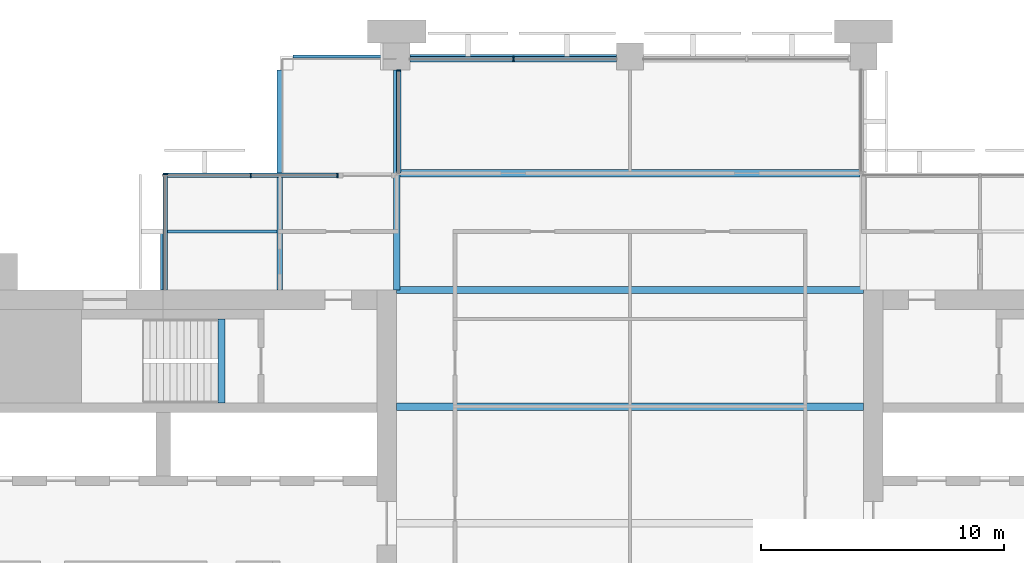
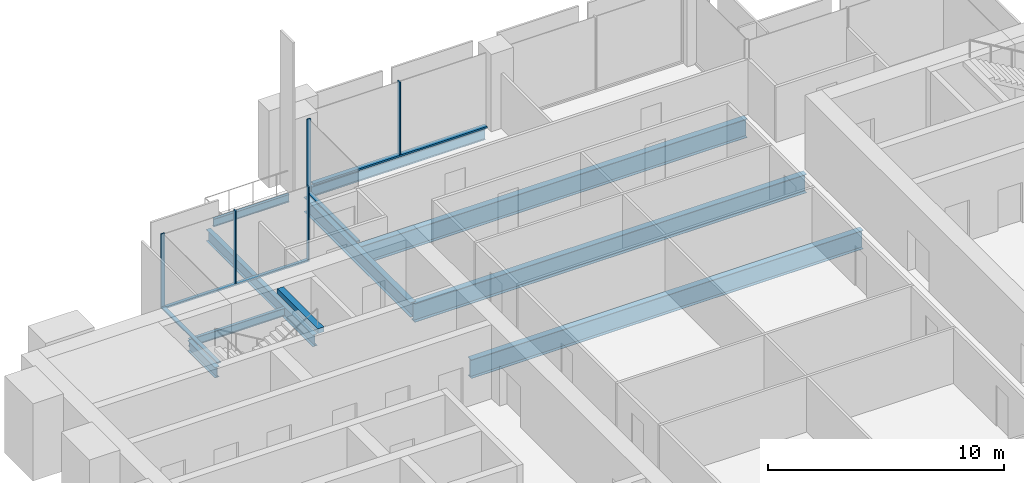
# One storey, part 5 of 13: 10 beams, 9 members, 4 elements without a shape of their own.
"""IFC4 building model written with IfcOpenShell, lengths in metres."""

from ifc_helpers import new_model, si_unit, direction, frame, origin, origin_2d, place, context, subcontext, project, spatial, rectangle, i_section, extrude, material, material_profile, profile_set, type_object, element, aggregate, save


model = new_model("IFC4")

# Units and contexts
model_context = context("Model", 3, precision=1e-05, world=origin(), true_north=direction((0.0, 1.0)))
body_context = subcontext(model_context, "Body", "Model", "MODEL_VIEW")
ifc_project = project(units=[si_unit("LENGTHUNIT", "METRE"), si_unit("AREAUNIT", "SQUARE_METRE"), si_unit("VOLUMEUNIT", "CUBIC_METRE"), si_unit("PLANEANGLEUNIT", "RADIAN"), si_unit("MASSUNIT", "GRAM", prefix="KILO")], contexts=[model_context])

# Site, building, storey
site_placement = place(None, origin())
site = spatial("IfcSite", under=ifc_project, at=site_placement, CompositionType="ELEMENT")
building_placement = place(site_placement, origin())
building = spatial("IfcBuilding", under=site, at=building_placement, Name="Baori Bourse Tower", CompositionType="ELEMENT")
storey_placement = place(building_placement, frame((0.0, 0.0, 229.199951171875)))
storey = spatial("IfcBuildingStorey", under=building, at=storey_placement, Name="L50", CompositionType="ELEMENT", Elevation=229.199951171875)

# Curtain wall, member
ifc_material_1 = material(Name="Pale anodised aluminium", Category="aluminium")
curtain_wall_type_1 = type_object("IfcCurtainWallType", Name="CW2 Curtain wall", PredefinedType="NOTDEFINED", material=ifc_material_1)
curtain_wall_1_placement = place(storey_placement, origin())
curtain_wall_1 = element("IfcCurtainWall", 1, at=curtain_wall_1_placement, inside=storey, type_object=curtain_wall_type_1, Name="Curtain wall CW2 L50 5", PredefinedType="NOTDEFINED")
ifc_material_2 = material(Name="Pale anodised aluminium", Category="aluminium")
ifc_material_profile_1 = material_profile(ifc_material_2, rectangle(XDim=0.179931640625, YDim=0.054931640625, at=origin_2d()), Name="Mullion 55x180")
ifc_profile_set_1 = profile_set([ifc_material_profile_1], Name="Pale anodised aluminium")
member_type_1 = type_object("IfcMemberType", Name="CW2 Curtain wall mullion", PredefinedType="MULLION", material=ifc_profile_set_1)
member_1_placement = place(storey_placement, frame((19.2900390625, 47.422607421875, 0.070068359375), z_axis=(0.0, 0.0, 1.0), x_axis=(1.0, 0.0, 0.0)))
member_1 = element("IfcMember", 2, at=member_1_placement, type_object=member_type_1, Name="Curtain wall CW2 mullion", PredefinedType="MULLION", context=body_context, shape_type="SweptSolid", body=[
    extrude(rectangle(XDim=0.179931640625, YDim=0.054931640625, at=origin_2d()), origin(), (0.0, 0.0, 1.0), 3.77001953125),
])

# Curtain wall, members
curtain_wall_2_placement = place(storey_placement, origin())
curtain_wall_2 = element("IfcCurtainWall", 3, at=curtain_wall_2_placement, inside=storey, type_object=curtain_wall_type_1, Name="Curtain wall CW2 L50 6", PredefinedType="NOTDEFINED")
member_2_placement = place(storey_placement, frame((16.7724609375, 43.110107421875, 0.070068359375), z_axis=(0.0, 0.0, 1.0), x_axis=(0.0, -1.0, 0.0)))
member_2 = element("IfcMember", 4, at=member_2_placement, type_object=member_type_1, Name="Curtain wall CW2 mullion", PredefinedType="MULLION", context=body_context, shape_type="SweptSolid", body=[
    extrude(rectangle(XDim=0.179931640625, YDim=0.054931640625, at=origin_2d()), origin(), (0.0, 0.0, 1.0), 3.77001953125),
])
member_3_placement = place(storey_placement, frame((13.199951171875, 43.110107421875, 0.070068359375), z_axis=(0.0, 0.0, 1.0), x_axis=(0.0, -1.0, 0.0)))
member_3 = element("IfcMember", 5, at=member_3_placement, type_object=member_type_1, Name="Curtain wall CW2 mullion", PredefinedType="MULLION", context=body_context, shape_type="SweptSolid", body=[
    extrude(rectangle(XDim=0.179931640625, YDim=0.054931640625, at=origin_2d()), origin(), (0.0, 0.0, 1.0), 3.77001953125),
])

# Curtain wall, member
curtain_wall_3_placement = place(storey_placement, origin())
curtain_wall_3 = element("IfcCurtainWall", 6, at=curtain_wall_3_placement, inside=storey, type_object=curtain_wall_type_1, Name="Curtain wall CW2 L50 7", PredefinedType="NOTDEFINED")
member_4_placement = place(storey_placement, frame((9.68994140625, 43.172607421875, 0.070068359375), z_axis=(0.0, 0.0, 1.0), x_axis=(1.0, 0.0, 0.0)))
member_4 = element("IfcMember", 7, at=member_4_placement, type_object=member_type_1, Name="Curtain wall CW2 mullion", PredefinedType="MULLION", context=body_context, shape_type="SweptSolid", body=[
    extrude(rectangle(XDim=0.179931640625, YDim=0.054931640625, at=origin_2d()), origin(), (0.0, 0.0, 1.0), 3.77001953125),
])

# Member
ifc_material_3 = material(Name="Pale anodised aluminium", Category="aluminium")
ifc_material_profile_2 = material_profile(ifc_material_3, rectangle(XDim=0.179931640625, YDim=0.070068359375, at=origin_2d()), Name="Transom 70x180")
ifc_profile_set_2 = profile_set([ifc_material_profile_2], Name="Pale anodised aluminium")
member_type_2 = type_object("IfcMemberType", Name="CW2 Curtain wall transom", PredefinedType="USERDEFINED", material=ifc_profile_set_2)
member_5_placement = place(storey_placement, frame((19.2900390625, 47.449951171875, 0.03515625), z_axis=(0.0, -1.0, 0.0), x_axis=(1.0, 0.0, 0.0)))
member_5 = element("IfcMember", 8, at=member_5_placement, type_object=member_type_2, Name="Curtain wall CW2 sill rail", ObjectType="TRANSOM", PredefinedType="USERDEFINED", context=body_context, shape_type="SweptSolid", body=[
    extrude(rectangle(XDim=0.179931640625, YDim=0.070068359375, at=origin_2d()), origin(), (0.0, 0.0, 1.0), 4.25),
])

aggregate(curtain_wall_1, [member_5, member_1])

member_6_placement = place(storey_placement, frame((16.800048828125, 43.110107421875, 0.03515625), z_axis=(-1.0, 0.0, 0.0), x_axis=(0.0, -1.0, 0.0)))
member_6 = element("IfcMember", 9, at=member_6_placement, type_object=member_type_2, Name="Curtain wall CW2 sill rail", ObjectType="TRANSOM", PredefinedType="USERDEFINED", context=body_context, shape_type="SweptSolid", body=[
    extrude(rectangle(XDim=0.179931640625, YDim=0.070068359375, at=origin_2d()), origin(), (0.0, 0.0, 1.0), 7.199951171875),
])

aggregate(curtain_wall_2, [member_6, member_2, member_3])

member_7_placement = place(storey_placement, frame((9.68994140625, 43.199951171875, 0.03515625), z_axis=(0.0, -1.0, 0.0), x_axis=(1.0, 0.0, 0.0)))
member_7 = element("IfcMember", 10, at=member_7_placement, type_object=member_type_2, Name="Curtain wall CW2 sill rail", ObjectType="TRANSOM", PredefinedType="USERDEFINED", context=body_context, shape_type="SweptSolid", body=[
    extrude(rectangle(XDim=0.179931640625, YDim=0.070068359375, at=origin_2d()), origin(), (0.0, 0.0, 1.0), 4.800048828125),
])

aggregate(curtain_wall_3, [member_7, member_4])

# Curtain wall, members
ifc_material_4 = material(Name="Pale anodised aluminium", Category="aluminium")
curtain_wall_type_2 = type_object("IfcCurtainWallType", Name="CW5 Curtain wall", PredefinedType="NOTDEFINED", material=ifc_material_4)
curtain_wall_4_placement = place(storey_placement, origin())
curtain_wall_4 = element("IfcCurtainWall", 11, at=curtain_wall_4_placement, inside=storey, type_object=curtain_wall_type_2, Name="Curtain wall CW5 L50 4", PredefinedType="NOTDEFINED")
ifc_material_5 = material(Name="Pale anodised aluminium", Category="aluminium")
ifc_material_profile_3 = material_profile(ifc_material_5, rectangle(XDim=0.219970703125, YDim=0.06494140625, at=origin_2d()), Name="Mullion 65x220")
ifc_profile_set_3 = profile_set([ifc_material_profile_3], Name="Pale anodised aluminium")
member_type_3 = type_object("IfcMemberType", Name="CW5 Curtain wall mullion", PredefinedType="MULLION", material=ifc_profile_set_3)
member_8_placement = place(storey_placement, frame((24.0, 47.889892578125, 0.0849609375), z_axis=(0.0, 0.0, 1.0), x_axis=(0.0, -1.0, 0.0)))
member_8 = element("IfcMember", 12, at=member_8_placement, type_object=member_type_3, Name="Curtain wall CW5 mullion", PredefinedType="MULLION", context=body_context, shape_type="SweptSolid", body=[
    extrude(rectangle(XDim=0.219970703125, YDim=0.06494140625, at=origin_2d()), origin(), (0.0, 0.0, 1.0), 3.755126953125),
])
ifc_material_6 = material(Name="Pale anodised aluminium", Category="aluminium")
ifc_material_profile_4 = material_profile(ifc_material_6, rectangle(XDim=0.219970703125, YDim=0.0849609375, at=origin_2d()), Name="Transom 85x220")
ifc_profile_set_4 = profile_set([ifc_material_profile_4], Name="Pale anodised aluminium")
member_type_4 = type_object("IfcMemberType", Name="CW5 Curtain wall transom", PredefinedType="USERDEFINED", material=ifc_profile_set_4)
member_9_placement = place(storey_placement, frame((28.25, 47.889892578125, 0.04248046875), z_axis=(-1.0, 0.0, 0.0), x_axis=(0.0, -1.0, 0.0)))
member_9 = element("IfcMember", 13, at=member_9_placement, type_object=member_type_4, Name="Curtain wall CW5 sill rail", ObjectType="TRANSOM", PredefinedType="USERDEFINED", context=body_context, shape_type="SweptSolid", body=[
    extrude(rectangle(XDim=0.219970703125, YDim=0.0849609375, at=origin_2d()), origin(), (0.0, 0.0, 1.0), 8.5),
])
aggregate(curtain_wall_4, [member_9, member_8])

# Beams
ifc_material_7 = material(Name="Steel A992 Gr 50", Category="steel")
ifc_material_profile_5 = material_profile(ifc_material_7, i_section(OverallWidth=0.21240234375, OverallDepth=0.54345703125, WebThickness=0.01318359375, FlangeThickness=0.021240234375, at=origin_2d()), Name="W21x83")
ifc_profile_set_5 = profile_set([ifc_material_profile_5], Name="Steel A992 Gr 50")
beam_type_1 = type_object("IfcBeamType", Name="Core bracket W21x83", PredefinedType="BEAM", material=ifc_profile_set_5)
beam_1_placement = place(storey_placement, frame((9.60009765625, 38.39990234375, -0.431640625), z_axis=(0.0, 1.0, 0.0), x_axis=(-1.0, 0.0, 0.0)))
element("IfcBeam", 14, at=beam_1_placement, inside=storey, type_object=beam_type_1, Name="Core bracket L50", PredefinedType="BEAM", context=body_context, shape_type="SweptSolid", body=[
    extrude(i_section(OverallWidth=0.21240234375, OverallDepth=0.54345703125, WebThickness=0.01318359375, FlangeThickness=0.021240234375, at=origin_2d()), origin(), (0.0, 0.0, 1.0), 2.329833984375),
])
ifc_material_8 = material(Name="Steel A992 Gr 50", Category="steel")
ifc_material_profile_6 = material_profile(ifc_material_8, i_section(OverallWidth=0.140380859375, OverallDepth=0.40380859375, WebThickness=0.007080078125, FlangeThickness=0.01123046875, at=origin_2d()), Name="W16x31")
ifc_profile_set_6 = profile_set([ifc_material_profile_6], Name="Steel A992 Gr 50")
beam_type_2 = type_object("IfcBeamType", Name="Edge beam W16x31", PredefinedType="BEAM", material=ifc_profile_set_6)
beam_2_placement = place(storey_placement, frame((14.949951171875, 48.0, -0.36181640625), z_axis=(1.0, 0.0, 0.0), x_axis=(0.0, 1.0, 0.0)))
element("IfcBeam", 15, at=beam_2_placement, inside=storey, type_object=beam_type_2, Name="Edge beam L50", PredefinedType="BEAM", context=body_context, shape_type="SweptSolid", body=[
    extrude(i_section(OverallWidth=0.140380859375, OverallDepth=0.40380859375, WebThickness=0.007080078125, FlangeThickness=0.01123046875, at=origin_2d()), origin(), (0.0, 0.0, 1.0), 3.699951171875),
])
ifc_material_9 = material(Name="Steel A992 Gr 50", Category="steel")
ifc_material_profile_7 = material_profile(ifc_material_9, i_section(OverallWidth=0.1650390625, OverallDepth=0.52587890625, WebThickness=0.0087890625, FlangeThickness=0.011474609375, at=origin_2d()), Name="W21x44")
ifc_profile_set_7 = profile_set([ifc_material_profile_7], Name="Steel A992 Gr 50")
beam_type_3 = type_object("IfcBeamType", Name="Edge beam W21x44", PredefinedType="BEAM", material=ifc_profile_set_7)
beam_3_placement = place(storey_placement, frame((19.75, 48.0, -0.4228515625), z_axis=(1.0, 0.0, 0.0), x_axis=(0.0, 1.0, 0.0)))
element("IfcBeam", 16, at=beam_3_placement, inside=storey, type_object=beam_type_3, Name="Edge beam L50", PredefinedType="BEAM", context=body_context, shape_type="SweptSolid", body=[
    extrude(i_section(OverallWidth=0.1650390625, OverallDepth=0.52587890625, WebThickness=0.0087890625, FlangeThickness=0.011474609375, at=origin_2d()), origin(), (0.0, 0.0, 1.0), 8.5),
])
ifc_material_10 = material(Name="Steel A992 Gr 50", Category="steel")
ifc_material_profile_8 = material_profile(ifc_material_10, i_section(OverallWidth=0.227783203125, OverallDepth=0.60205078125, WebThickness=0.010498046875, FlangeThickness=0.014892578125, at=origin_2d()), Name="W24x68")
ifc_profile_set_8 = profile_set([ifc_material_profile_8], Name="Steel A992 Gr 50")
beam_type_4 = type_object("IfcBeamType", Name="Floor beam W24x68", PredefinedType="BEAM", material=ifc_profile_set_8)
beam_4_placement = place(storey_placement, frame((14.39990234375, 38.39990234375, -0.4609375), z_axis=(0.0, 1.0, 0.0), x_axis=(-1.0, 0.0, 0.0)))
element("IfcBeam", 17, at=beam_4_placement, inside=storey, type_object=beam_type_4, Name="Floor beam L50", PredefinedType="BEAM", context=body_context, shape_type="SweptSolid", body=[
    extrude(i_section(OverallWidth=0.227783203125, OverallDepth=0.60205078125, WebThickness=0.010498046875, FlangeThickness=0.014892578125, at=origin_2d()), origin(), (0.0, 0.0, 1.0), 9.050048828125),
])
ifc_material_11 = material(Name="Steel A992 Gr 50", Category="steel")
ifc_material_profile_9 = material_profile(ifc_material_11, i_section(OverallWidth=0.2998046875, OverallDepth=0.97021484375, WebThickness=0.01611328125, FlangeThickness=0.02099609375, at=origin_2d()), Name="W40x149")
ifc_profile_set_9 = profile_set([ifc_material_profile_9], Name="Steel A992 Gr 50")
beam_type_5 = type_object("IfcBeamType", Name="Floor beam W40x149", PredefinedType="BEAM", material=ifc_profile_set_9)
for number, where, z_axis, x_axis, name in (
    (18, (19.199951171875, 33.60009765625, -0.64501953125), (1.0, 0.0, 0.0), (0.0, 1.0, 0.0), "Floor beam L50"),
    (19, (19.199951171875, 38.39990234375, -0.64501953125), (1.0, 0.0, 0.0), (0.0, 1.0, 0.0), "Floor beam L50"),
):
    element("IfcBeam", number, at=place(storey_placement, frame(where, z_axis=z_axis, x_axis=x_axis)), inside=storey, type_object=beam_type_5, Name=name, PredefinedType="BEAM", context=body_context, shape_type="SweptSolid", body=[
        extrude(i_section(OverallWidth=0.2998046875, OverallDepth=0.97021484375, WebThickness=0.01611328125, FlangeThickness=0.02099609375, at=origin_2d()), origin(), (0.0, 0.0, 1.0), 19.199951171875),
    ])
beam_5_placement = place(storey_placement, frame((19.333251953125, 43.199951171875, -0.64501953125), z_axis=(1.0, 0.0, 0.0), x_axis=(0.0, 1.0, 0.0)))
element("IfcBeam", 20, at=beam_5_placement, inside=storey, type_object=beam_type_5, Name="Floor beam L50", PredefinedType="BEAM", context=body_context, shape_type="SweptSolid", body=[
    extrude(i_section(OverallWidth=0.2998046875, OverallDepth=0.97021484375, WebThickness=0.01611328125, FlangeThickness=0.02099609375, at=origin_2d()), origin(), (0.0, 0.0, 1.0), 18.933349609375),
])
ifc_material_12 = material(Name="Steel A992 Gr 50", Category="steel")
ifc_material_profile_10 = material_profile(ifc_material_12, i_section(OverallWidth=0.2666015625, OverallDepth=0.7568359375, WebThickness=0.013916015625, FlangeThickness=0.019287109375, at=origin_2d()), Name="W30x108")
ifc_profile_set_10 = profile_set([ifc_material_profile_10], Name="Steel A992 Gr 50")
beam_type_6 = type_object("IfcBeamType", Name="Girder W30x108", PredefinedType="BEAM", material=ifc_profile_set_10)
beam_6_placement = place(storey_placement, frame((19.199951171875, 38.39990234375, -0.538330078125), z_axis=(0.0, 1.0, 0.0), x_axis=(-1.0, 0.0, 0.0)))
element("IfcBeam", 21, at=beam_6_placement, inside=storey, type_object=beam_type_6, Name="Girder L50", PredefinedType="BEAM", context=body_context, shape_type="SweptSolid", body=[
    extrude(i_section(OverallWidth=0.2666015625, OverallDepth=0.7568359375, WebThickness=0.013916015625, FlangeThickness=0.019287109375, at=origin_2d()), origin(), (0.0, 0.0, 1.0), 9.050048828125),
])
ifc_material_13 = material(Name="Concrete f'c 50 MPa", Category="concrete")
ifc_material_profile_11 = material_profile(ifc_material_13, rectangle(XDim=0.300048828125, YDim=0.25, at=origin_2d()), Name="RC 300x250")
ifc_profile_set_11 = profile_set([ifc_material_profile_11], Name="Concrete f'c 50 MPa")
beam_type_7 = type_object("IfcBeamType", Name="Stair nib beam RC 300x250", PredefinedType="BEAM", material=ifc_profile_set_11)
beam_7_placement = place(storey_placement, frame((12.0, 33.75, 3.715087890625), z_axis=(0.0, 1.0, 0.0), x_axis=(-1.0, 0.0, 0.0)))
element("IfcBeam", 22, at=beam_7_placement, inside=storey, type_object=beam_type_7, Name="Stair WB nib beam L51", PredefinedType="BEAM", context=body_context, shape_type="SweptSolid", body=[
    extrude(rectangle(XDim=0.300048828125, YDim=0.25, at=origin_2d()), origin(), (0.0, 0.0, 1.0), 3.449951171875),
])
ifc_material_14 = material(Name="Steel A992 Gr 50", Category="steel")
ifc_material_profile_12 = material_profile(ifc_material_14, i_section(OverallWidth=0.140380859375, OverallDepth=0.40380859375, WebThickness=0.007080078125, FlangeThickness=0.01123046875, at=origin_2d()), Name="W16x31")
ifc_profile_set_12 = profile_set([ifc_material_profile_12], Name="Steel A992 Gr 50")
beam_type_8 = type_object("IfcBeamType", Name="Trimmer beam W16x31", PredefinedType="BEAM", material=ifc_profile_set_12)
beam_8_placement = place(storey_placement, frame((9.60009765625, 40.800048828125, -0.36181640625), z_axis=(1.0, 0.0, 0.0), x_axis=(0.0, 1.0, 0.0)))
element("IfcBeam", 23, at=beam_8_placement, inside=storey, type_object=beam_type_8, Name="Trimmer beam L50", PredefinedType="BEAM", context=body_context, shape_type="SweptSolid", body=[
    extrude(i_section(OverallWidth=0.140380859375, OverallDepth=0.40380859375, WebThickness=0.007080078125, FlangeThickness=0.01123046875, at=origin_2d()), origin(), (0.0, 0.0, 1.0), 4.68603515625),
])

save(model, "model.ifc")
